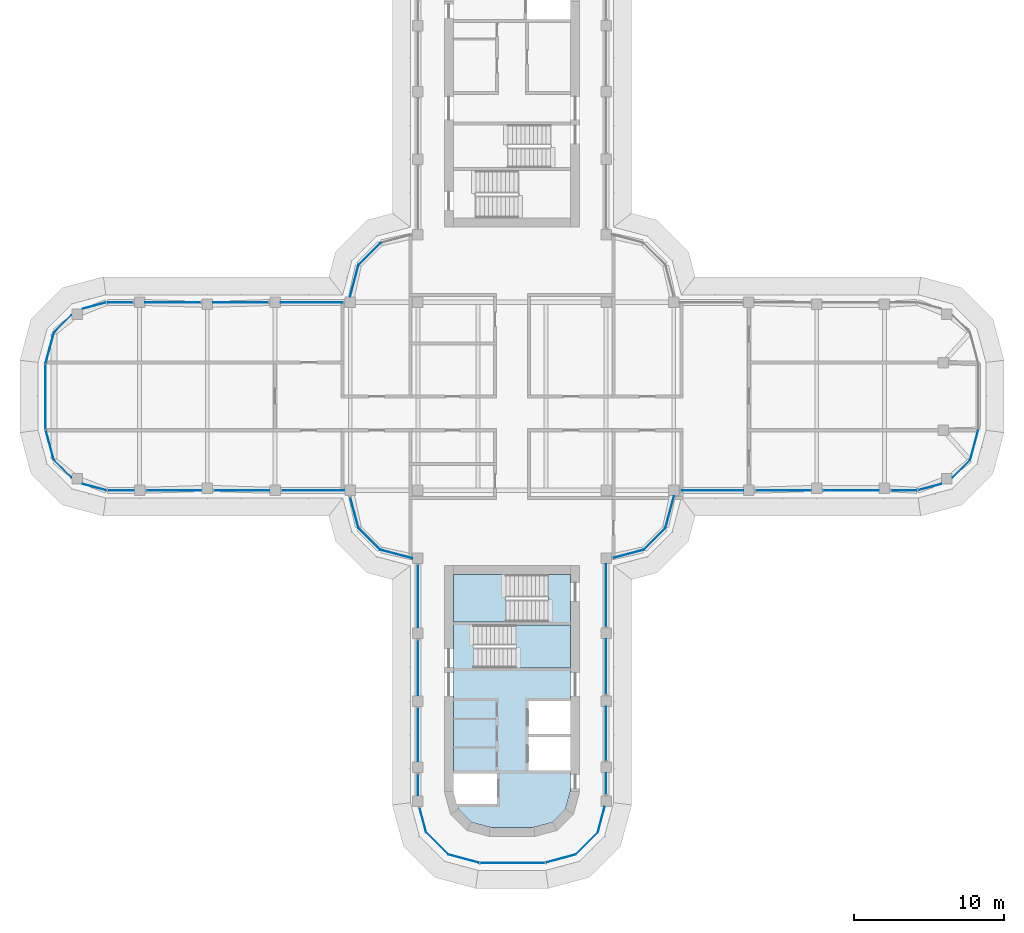
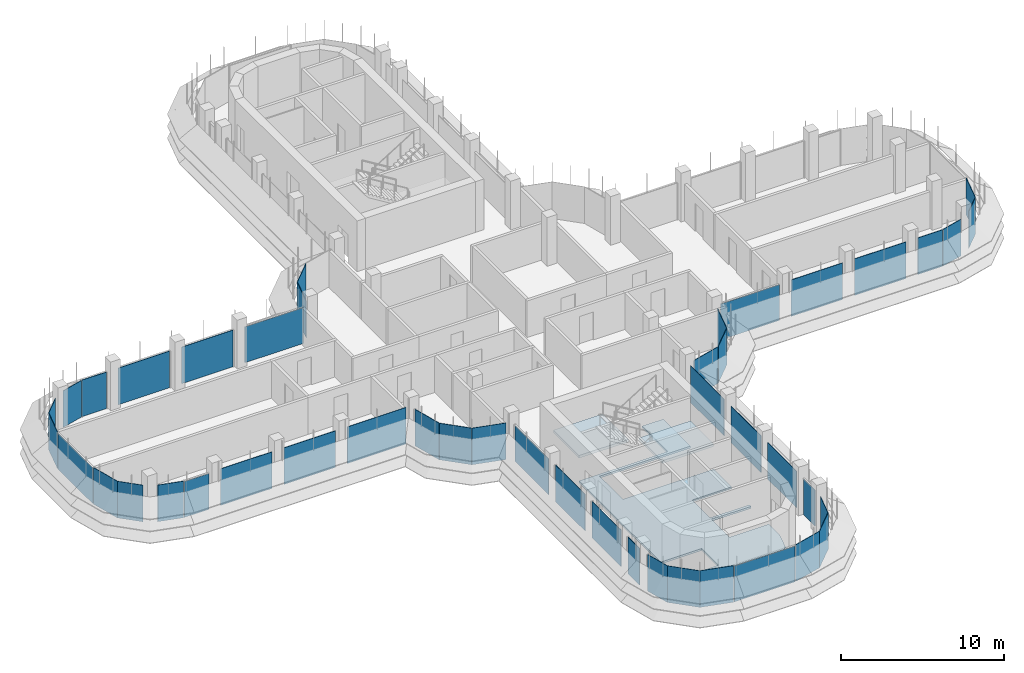
# One storey, part 11 of 19: 45 plates, 3 slabs, 32 elements without a shape of their own.
"""IFC4 building model written with IfcOpenShell, lengths in metres."""

from ifc_helpers import new_model, si_unit, direction, frame, origin, place, context, subcontext, project, spatial, polyline, outline, extrude, source, transform, mapped, material, layer, layer_set, type_object, element, aggregate, save


model = new_model("IFC4")

# Units and contexts
model_context = context("Model", 3, precision=1e-05, world=origin(), true_north=direction((0.0, 1.0)))
body_context = subcontext(model_context, "Body", "Model", "MODEL_VIEW")
ifc_project = project(units=[si_unit("LENGTHUNIT", "METRE"), si_unit("AREAUNIT", "SQUARE_METRE"), si_unit("VOLUMEUNIT", "CUBIC_METRE"), si_unit("PLANEANGLEUNIT", "RADIAN"), si_unit("MASSUNIT", "GRAM", prefix="KILO")], contexts=[model_context])

# Site, building, storey
site_placement = place(None, origin())
site = spatial("IfcSite", under=ifc_project, at=site_placement, CompositionType="ELEMENT")
building_placement = place(site_placement, origin())
building = spatial("IfcBuilding", under=site, at=building_placement, Name="Zarbagh Exchange Tower", CompositionType="ELEMENT")
storey_placement = place(building_placement, frame((0.0, 0.0, 203.0)))
storey = spatial("IfcBuildingStorey", under=building, at=storey_placement, Name="L49", CompositionType="ELEMENT", Elevation=203.0)

# Slab
ifc_material_1 = material(Name="Concrete C40/50", Category="concrete")
ifc_layer_1 = layer(ifc_material_1, 0.14990234375)
ifc_layer_set_1 = layer_set([ifc_layer_1], Name="Core floor slab 150 C40/50")
slab_type_1 = type_object("IfcSlabType", Name="Core floor slab 150 C40/50", PredefinedType="FLOOR", material=ifc_layer_set_1)
slab_1_placement = place(storey_placement, frame((0.0, 0.0, -0.14990234375)))
element("IfcSlab", 1, at=slab_1_placement, inside=storey, type_object=slab_type_1, Name="S17 core S", PredefinedType="FLOOR", context=body_context, shape_type="SweptSolid", body=[
    extrude(outline(polyline([(-2.689453125, -28.31005859375), (-3.56005859375, -27.439453125), (-3.651123046875, -27.10009765625), (-1.0, -27.10009765625), (-1.0, -25.050048828125), (-3.89990234375, -25.050048828125), (-3.89990234375, -15.0), (2.39990234375, -15.0), (2.39990234375, -11.85009765625), (3.89990234375, -11.85009765625), (3.89990234375, -15.199951171875), (-2.550048828125, -15.199951171875), (-2.550048828125, -18.050048828125), (3.89990234375, -18.050048828125), (3.89990234375, -20.25), (1.10009765625, -20.25), (1.10009765625, -22.449951171875), (3.89990234375, -22.449951171875), (3.89990234375, -22.64990234375), (1.10009765625, -22.64990234375), (1.10009765625, -24.85009765625), (3.89990234375, -24.85009765625), (3.89990234375, -26.1708984375), (3.56005859375, -27.439453125), (2.689453125, -28.31005859375), (1.4208984375, -28.64990234375), (-1.4208984375, -28.64990234375), (-2.689453125, -28.31005859375)])), origin(), (0.0, 0.0, 1.0), 0.14990234375),
])

# Stair, slab
stair_type = type_object("IfcStairType", Name="Exit stair two-flight half-turn", PredefinedType="HALF_TURN_STAIR", material=ifc_material_1)
stair_1_placement = place(storey_placement, origin())
stair_1 = element("IfcStair", 2, at=stair_1_placement, inside=storey, type_object=stair_type, Name="exit stair ST3", PredefinedType="HALF_TURN_STAIR")
ifc_layer_2 = layer(ifc_material_1, 0.199951171875)
ifc_layer_set_2 = layer_set([ifc_layer_2], Name="Stair landing 200 mm")
slab_type_2 = type_object("IfcSlabType", Name="Stair landing 200 mm", PredefinedType="LANDING", material=ifc_layer_set_2)
slab_2_placement = place(storey_placement, frame((0.0, 0.0, 1.699951171875)))
slab_2 = element("IfcSlab", 3, at=slab_2_placement, type_object=slab_type_2, Name="ST3 landing 1", PredefinedType="LANDING", context=body_context, shape_type="SweptSolid", body=[
    extrude(outline(polyline([(0.25, -18.050048828125), (3.89990234375, -18.050048828125), (3.89990234375, -15.199951171875), (0.25, -15.199951171875), (0.25, -18.050048828125)])), origin(), (0.0, 0.0, 1.0), 0.199951171875),
])
aggregate(stair_1, [slab_2])

stair_2_placement = place(storey_placement, origin())
stair_2 = element("IfcStair", 4, at=stair_2_placement, inside=storey, type_object=stair_type, Name="exit stair ST4", PredefinedType="HALF_TURN_STAIR")
slab_3_placement = place(storey_placement, frame((0.0, 0.0, 1.699951171875)))
slab_3 = element("IfcSlab", 5, at=slab_3_placement, type_object=slab_type_2, Name="ST4 landing 1", PredefinedType="LANDING", context=body_context, shape_type="SweptSolid", body=[
    extrude(outline(polyline([(-0.39990234375, -11.85009765625), (-3.89990234375, -11.85009765625), (-3.89990234375, -15.0), (-0.39990234375, -15.0), (-0.39990234375, -11.85009765625)])), origin(), (0.0, 0.0, 1.0), 0.199951171875),
])
aggregate(stair_2, [slab_3])

# Curtain wall, plate
ifc_material_2 = material(Name="Anodised aluminium frame and glazing", Category="aluminium")
curtain_wall_type = type_object("IfcCurtainWallType", Name="CWB Ribbon glazing, upper zones", PredefinedType="NOTDEFINED", material=ifc_material_2)
curtain_wall_1_placement = place(storey_placement, origin())
curtain_wall_1 = element("IfcCurtainWall", 6, at=curtain_wall_1_placement, inside=storey, type_object=curtain_wall_type, Name="CWB50 curtain wall", PredefinedType="NOTDEFINED")
ifc_material_3 = material(Name="Low-e double glazed unit, 6+12+6 mm")
ifc_layer_3 = layer(ifc_material_3, 0.031982421875)
ifc_layer_set_3 = layer_set([ifc_layer_3], Name="PAB Glazing panel, Low-e double glazed unit, 6+12+6 mm")
plate_type = type_object("IfcPlateType", Name="PAB Glazing panel, Low-e double glazed unit, 6+12+6 mm", PredefinedType="CURTAIN_PANEL", material=ifc_layer_set_3)
shared_shape_1 = source(origin(), body_context, "Body", "SweptSolid", [
    extrude(outline(polyline([(0.0, -0.01611328125), (2.061279296875, -0.01611328125), (2.061279296875, 0.01611328125), (0.0, 0.01611328125), (0.0, -0.01611328125)])), origin(), (0.0, 0.0, 1.0), 2.75),
])
placement = place(storey_placement, origin())
plate_1 = element("IfcPlate", 7, at=placement, type_object=plate_type, Name="CWB50 glazing panel 1.1", PredefinedType="CURTAIN_PANEL", context=body_context, shape_type="MappedRepresentation", body=[
    mapped(shared_shape_1, transform((4.2412109375, -30.44873046875, 0.0), x_axis=(0.707106781187, 0.707106781187, 0.0), y_axis=(-0.707106781187, 0.707106781187, 0.0), z_axis=(0.0, 0.0, 1.0))),
])
aggregate(curtain_wall_1, [plate_1])

curtain_wall_2_placement = place(storey_placement, origin())
curtain_wall_2 = element("IfcCurtainWall", 8, at=curtain_wall_2_placement, inside=storey, type_object=curtain_wall_type, Name="CWB06 curtain wall", PredefinedType="NOTDEFINED")
plate_2 = element("IfcPlate", 9, at=placement, type_object=plate_type, Name="CWB06 glazing panel 1.1", PredefinedType="CURTAIN_PANEL", context=body_context, shape_type="MappedRepresentation", body=[
    mapped(shared_shape_1, transform((8.7412109375, -10.19873046875, 0.0), x_axis=(0.707106781187, 0.707106781187, 0.0), y_axis=(-0.707106781187, 0.707106781187, 0.0), z_axis=(0.0, 0.0, 1.0))),
])
aggregate(curtain_wall_2, [plate_2])

curtain_wall_3_placement = place(storey_placement, origin())
curtain_wall_3 = element("IfcCurtainWall", 10, at=curtain_wall_3_placement, inside=storey, type_object=curtain_wall_type, Name="CWB30 curtain wall", PredefinedType="NOTDEFINED")
plate_3 = element("IfcPlate", 11, at=placement, type_object=plate_type, Name="CWB30 glazing panel 1.1", PredefinedType="CURTAIN_PANEL", context=body_context, shape_type="MappedRepresentation", body=[
    mapped(shared_shape_1, transform((-8.7412109375, 10.19873046875, 0.0), x_axis=(-0.707106781187, -0.707106781187, 0.0), y_axis=(0.707106781187, -0.707106781187, 0.0), z_axis=(0.0, 0.0, 1.0))),
])
aggregate(curtain_wall_3, [plate_3])

curtain_wall_4_placement = place(storey_placement, origin())
curtain_wall_4 = element("IfcCurtainWall", 12, at=curtain_wall_4_placement, inside=storey, type_object=curtain_wall_type, Name="CWB42 curtain wall", PredefinedType="NOTDEFINED")
plate_4 = element("IfcPlate", 13, at=placement, type_object=plate_type, Name="CWB42 glazing panel 1.1", PredefinedType="CURTAIN_PANEL", context=body_context, shape_type="MappedRepresentation", body=[
    mapped(shared_shape_1, transform((-10.19873046875, -8.7412109375, 0.0), x_axis=(0.707106781187, -0.707106781187, 0.0), y_axis=(0.707106781187, 0.707106781187, 0.0), z_axis=(0.0, 0.0, 1.0))),
])
aggregate(curtain_wall_4, [plate_4])

curtain_wall_5_placement = place(storey_placement, origin())
curtain_wall_5 = element("IfcCurtainWall", 14, at=curtain_wall_5_placement, inside=storey, type_object=curtain_wall_type, Name="CWB55 curtain wall", PredefinedType="NOTDEFINED")
plate_5 = element("IfcPlate", 15, at=placement, type_object=plate_type, Name="CWB55 glazing panel 1.1", PredefinedType="CURTAIN_PANEL", context=body_context, shape_type="MappedRepresentation", body=[
    mapped(shared_shape_1, transform((-5.69873046875, -28.9912109375, 0.0), x_axis=(0.707106781187, -0.707106781187, 0.0), y_axis=(0.707106781187, 0.707106781187, 0.0), z_axis=(0.0, 0.0, 1.0))),
])
aggregate(curtain_wall_5, [plate_5])

curtain_wall_6_placement = place(storey_placement, origin())
curtain_wall_6 = element("IfcCurtainWall", 16, at=curtain_wall_6_placement, inside=storey, type_object=curtain_wall_type, Name="CWB11 curtain wall", PredefinedType="NOTDEFINED")
shared_shape_2 = source(origin(), body_context, "Body", "SweptSolid", [
    extrude(outline(polyline([(0.0, -0.01611328125), (2.129638671875, -0.01611328125), (2.129638671875, 0.01611328125), (0.0, 0.01611328125), (0.0, -0.01611328125)])), origin(), (0.0, 0.0, 1.0), 2.75),
])
plate_6 = element("IfcPlate", 17, at=placement, type_object=plate_type, Name="CWB11 glazing panel 1.1", PredefinedType="CURTAIN_PANEL", context=body_context, shape_type="MappedRepresentation", body=[
    mapped(shared_shape_2, transform((30.44873046875, -4.2412109375, 0.0), x_axis=(0.258824779902, 0.965924289636, 0.0), y_axis=(-0.965924289636, 0.258824779902, 0.0), z_axis=(0.0, 0.0, 1.0))),
])
aggregate(curtain_wall_6, [plate_6])

curtain_wall_7_placement = place(storey_placement, origin())
curtain_wall_7 = element("IfcCurtainWall", 18, at=curtain_wall_7_placement, inside=storey, type_object=curtain_wall_type, Name="CWB61 curtain wall", PredefinedType="NOTDEFINED")
plate_7 = element("IfcPlate", 19, at=placement, type_object=plate_type, Name="CWB61 glazing panel 1.1", PredefinedType="CURTAIN_PANEL", context=body_context, shape_type="MappedRepresentation", body=[
    mapped(shared_shape_2, transform((-30.44873046875, 4.2412109375, 0.0), x_axis=(-0.258824779902, -0.965924289636, 0.0), y_axis=(0.965924289636, -0.258824779902, 0.0), z_axis=(0.0, 0.0, 1.0))),
])
aggregate(curtain_wall_7, [plate_7])

curtain_wall_8_placement = place(storey_placement, origin())
curtain_wall_8 = element("IfcCurtainWall", 20, at=curtain_wall_8_placement, inside=storey, type_object=curtain_wall_type, Name="CWB56 curtain wall", PredefinedType="NOTDEFINED")
plate_8 = element("IfcPlate", 21, at=placement, type_object=plate_type, Name="CWB56 glazing panel 1.1", PredefinedType="CURTAIN_PANEL", context=body_context, shape_type="MappedRepresentation", body=[
    mapped(shared_shape_2, transform((-4.2412109375, -30.44873046875, 0.0), x_axis=(0.965924289636, -0.258824779902, 0.0), y_axis=(0.258824779902, 0.965924289636, 0.0), z_axis=(0.0, 0.0, 1.0))),
])
aggregate(curtain_wall_8, [plate_8])

curtain_wall_9_placement = place(storey_placement, origin())
curtain_wall_9 = element("IfcCurtainWall", 22, at=curtain_wall_9_placement, inside=storey, type_object=curtain_wall_type, Name="CWB52 curtain wall", PredefinedType="NOTDEFINED")
shared_shape_3 = source(origin(), body_context, "Body", "SweptSolid", [
    extrude(outline(polyline([(0.0, -0.01611328125), (3.56005859375, -0.01611328125), (3.56005859375, 0.01611328125), (0.0, 0.01611328125), (0.0, -0.01611328125)])), origin(), (0.0, 0.0, 1.0), 2.75),
])
plate_9 = element("IfcPlate", 23, at=placement, type_object=plate_type, Name="CWB52 glazing panel 2.1", PredefinedType="CURTAIN_PANEL", context=body_context, shape_type="MappedRepresentation", body=[
    mapped(shared_shape_3, transform((6.25, -24.199951171875, 0.0), x_axis=(0.0, 1.0, 0.0), y_axis=(-1.0, 0.0, 0.0), z_axis=(0.0, 0.0, 1.0))),
])

curtain_wall_10_placement = place(storey_placement, origin())
curtain_wall_10 = element("IfcCurtainWall", 24, at=curtain_wall_10_placement, inside=storey, type_object=curtain_wall_type, Name="CWB53 curtain wall", PredefinedType="NOTDEFINED")
plate_10 = element("IfcPlate", 25, at=placement, type_object=plate_type, Name="CWB53 glazing panel 3.1", PredefinedType="CURTAIN_PANEL", context=body_context, shape_type="MappedRepresentation", body=[
    mapped(shared_shape_3, transform((-6.25, -20.699951171875, 0.0), x_axis=(0.0, -1.0, 0.0), y_axis=(1.0, 0.0, 0.0), z_axis=(0.0, 0.0, 1.0))),
])

curtain_wall_11_placement = place(storey_placement, origin())
curtain_wall_11 = element("IfcCurtainWall", 26, at=curtain_wall_11_placement, inside=storey, type_object=curtain_wall_type, Name="CWB66 curtain wall", PredefinedType="NOTDEFINED")
shared_shape_4 = source(origin(), body_context, "Body", "SweptSolid", [
    extrude(outline(polyline([(0.0, -0.01611328125), (4.308349609375, -0.01611328125), (4.308349609375, 0.01611328125), (0.0, 0.01611328125), (0.0, -0.01611328125)])), origin(), (0.0, 0.0, 1.0), 2.68994140625),
])
plate_11 = element("IfcPlate", 27, at=placement, type_object=plate_type, Name="CWB66 glazing panel 1.1", PredefinedType="CURTAIN_PANEL", context=body_context, shape_type="MappedRepresentation", body=[
    mapped(shared_shape_4, transform((-31.0, 2.124267578125, 0.0), x_axis=(0.0, -1.0, 0.0), y_axis=(1.0, 0.0, 0.0), z_axis=(0.0, 0.0, 1.0))),
])
aggregate(curtain_wall_11, [plate_11])

curtain_wall_12_placement = place(storey_placement, origin())
curtain_wall_12 = element("IfcCurtainWall", 28, at=curtain_wall_12_placement, inside=storey, type_object=curtain_wall_type, Name="CWB57 curtain wall", PredefinedType="NOTDEFINED")
plate_12 = element("IfcPlate", 29, at=placement, type_object=plate_type, Name="CWB57 glazing panel 1.1", PredefinedType="CURTAIN_PANEL", context=body_context, shape_type="MappedRepresentation", body=[
    mapped(shared_shape_4, transform((-2.124267578125, -31.0, 0.0), x_axis=(1.0, 0.0, 0.0), y_axis=(0.0, 1.0, 0.0), z_axis=(0.0, 0.0, 1.0))),
])
aggregate(curtain_wall_12, [plate_12])

curtain_wall_13_placement = place(storey_placement, origin())
curtain_wall_13 = element("IfcCurtainWall", 30, at=curtain_wall_13_placement, inside=storey, type_object=curtain_wall_type, Name="CWB49 curtain wall", PredefinedType="NOTDEFINED")
shared_shape_5 = source(origin(), body_context, "Body", "SweptSolid", [
    extrude(outline(polyline([(0.0, -0.01611328125), (2.069580078125, -0.01611328125), (2.069580078125, 0.01611328125), (0.0, 0.01611328125), (0.0, -0.01611328125)])), origin(), (0.0, 0.0, 1.0), 2.75),
])
plate_13 = element("IfcPlate", 31, at=placement, type_object=plate_type, Name="CWB49 glazing panel 1.1", PredefinedType="CURTAIN_PANEL", context=body_context, shape_type="MappedRepresentation", body=[
    mapped(shared_shape_5, transform((2.2421875, -30.984375, 0.0), x_axis=(0.965924289636, 0.258824779902, 0.0), y_axis=(-0.258824779902, 0.965924289636, 0.0), z_axis=(0.0, 0.0, 1.0))),
])
aggregate(curtain_wall_13, [plate_13])

curtain_wall_14_placement = place(storey_placement, origin())
curtain_wall_14 = element("IfcCurtainWall", 32, at=curtain_wall_14_placement, inside=storey, type_object=curtain_wall_type, Name="CWB62 curtain wall", PredefinedType="NOTDEFINED")
plate_14 = element("IfcPlate", 33, at=placement, type_object=plate_type, Name="CWB62 glazing panel 1.1", PredefinedType="CURTAIN_PANEL", context=body_context, shape_type="MappedRepresentation", body=[
    mapped(shared_shape_5, transform((-30.984375, -2.2421875, 0.0), x_axis=(0.258824779902, -0.965924289636, 0.0), y_axis=(0.965924289636, 0.258824779902, 0.0), z_axis=(0.0, 0.0, 1.0))),
])
aggregate(curtain_wall_14, [plate_14])

curtain_wall_15_placement = place(storey_placement, origin())
curtain_wall_15 = element("IfcCurtainWall", 34, at=curtain_wall_15_placement, inside=storey, type_object=curtain_wall_type, Name="CWB51 curtain wall", PredefinedType="NOTDEFINED")
shared_shape_6 = source(origin(), body_context, "Body", "SweptSolid", [
    extrude(outline(polyline([(0.0, -0.01611328125), (1.76123046875, -0.01611328125), (1.76123046875, 0.01611328125), (0.0, 0.01611328125), (0.0, -0.01611328125)])), origin(), (0.0, 0.0, 1.0), 2.75),
])
plate_15 = element("IfcPlate", 35, at=placement, type_object=plate_type, Name="CWB51 glazing panel 1.1", PredefinedType="CURTAIN_PANEL", context=body_context, shape_type="MappedRepresentation", body=[
    mapped(shared_shape_6, transform((5.69873046875, -28.9912109375, 0.0), x_axis=(0.258824779902, 0.965924289636, 0.0), y_axis=(-0.965924289636, 0.258824779902, 0.0), z_axis=(0.0, 0.0, 1.0))),
])
aggregate(curtain_wall_15, [plate_15])

# Plate
shared_shape_7 = source(origin(), body_context, "Body", "SweptSolid", [
    extrude(outline(polyline([(0.0, -0.01611328125), (1.409912109375, -0.01611328125), (1.409912109375, 0.01611328125), (0.0, 0.01611328125), (0.0, -0.01611328125)])), origin(), (0.0, 0.0, 1.0), 2.68994140625),
])
plate_16 = element("IfcPlate", 36, at=placement, type_object=plate_type, Name="CWB52 glazing panel 1.1", PredefinedType="CURTAIN_PANEL", context=body_context, shape_type="MappedRepresentation", body=[
    mapped(shared_shape_7, transform((6.25, -26.449951171875, 0.0), x_axis=(0.0, 1.0, 0.0), y_axis=(-1.0, 0.0, 0.0), z_axis=(0.0, 0.0, 1.0))),
])

shared_shape_8 = source(origin(), body_context, "Body", "SweptSolid", [
    extrude(outline(polyline([(0.0, -0.01611328125), (3.659912109375, -0.01611328125), (3.659912109375, 0.01611328125), (0.0, 0.01611328125), (0.0, -0.01611328125)])), origin(), (0.0, 0.0, 1.0), 2.75),
])
plate_17 = element("IfcPlate", 37, at=placement, type_object=plate_type, Name="CWB52 glazing panel 3.1", PredefinedType="CURTAIN_PANEL", context=body_context, shape_type="MappedRepresentation", body=[
    mapped(shared_shape_8, transform((6.25, -19.800048828125, 0.0), x_axis=(0.0, 1.0, 0.0), y_axis=(-1.0, 0.0, 0.0), z_axis=(0.0, 0.0, 1.0))),
])

# Curtain wall, plates
curtain_wall_16_placement = place(storey_placement, origin())
curtain_wall_16 = element("IfcCurtainWall", 38, at=curtain_wall_16_placement, inside=storey, type_object=curtain_wall_type, Name="CWB08 curtain wall", PredefinedType="NOTDEFINED")
plate_18 = element("IfcPlate", 39, at=placement, type_object=plate_type, Name="CWB08 glazing panel 2.1", PredefinedType="CURTAIN_PANEL", context=body_context, shape_type="MappedRepresentation", body=[
    mapped(shared_shape_8, transform((16.199951171875, -6.25, 0.0), x_axis=(1.0, 0.0, 0.0), y_axis=(0.0, 1.0, 0.0), z_axis=(0.0, 0.0, 1.0))),
])
plate_19 = element("IfcPlate", 40, at=placement, type_object=plate_type, Name="CWB08 glazing panel 3.1", PredefinedType="CURTAIN_PANEL", context=body_context, shape_type="MappedRepresentation", body=[
    mapped(shared_shape_8, transform((20.699951171875, -6.25, 0.0), x_axis=(1.0, 0.0, 0.0), y_axis=(0.0, 1.0, 0.0), z_axis=(0.0, 0.0, 1.0))),
])

curtain_wall_17_placement = place(storey_placement, origin())
curtain_wall_17 = element("IfcCurtainWall", 41, at=curtain_wall_17_placement, inside=storey, type_object=curtain_wall_type, Name="CWB58 curtain wall", PredefinedType="NOTDEFINED")
plate_20 = element("IfcPlate", 42, at=placement, type_object=plate_type, Name="CWB58 glazing panel 2.1", PredefinedType="CURTAIN_PANEL", context=body_context, shape_type="MappedRepresentation", body=[
    mapped(shared_shape_8, transform((-16.199951171875, 6.25, 0.0), x_axis=(-1.0, 0.0, 0.0), y_axis=(0.0, -1.0, 0.0), z_axis=(0.0, 0.0, 1.0))),
])
plate_21 = element("IfcPlate", 43, at=placement, type_object=plate_type, Name="CWB58 glazing panel 3.1", PredefinedType="CURTAIN_PANEL", context=body_context, shape_type="MappedRepresentation", body=[
    mapped(shared_shape_8, transform((-20.699951171875, 6.25, 0.0), x_axis=(-1.0, 0.0, 0.0), y_axis=(0.0, -1.0, 0.0), z_axis=(0.0, 0.0, 1.0))),
])

curtain_wall_18_placement = place(storey_placement, origin())
curtain_wall_18 = element("IfcCurtainWall", 44, at=curtain_wall_18_placement, inside=storey, type_object=curtain_wall_type, Name="CWB65 curtain wall", PredefinedType="NOTDEFINED")
plate_22 = element("IfcPlate", 45, at=placement, type_object=plate_type, Name="CWB65 glazing panel 2.1", PredefinedType="CURTAIN_PANEL", context=body_context, shape_type="MappedRepresentation", body=[
    mapped(shared_shape_8, transform((-24.300048828125, -6.25, 0.0), x_axis=(1.0, 0.0, 0.0), y_axis=(0.0, 1.0, 0.0), z_axis=(0.0, 0.0, 1.0))),
])
plate_23 = element("IfcPlate", 46, at=placement, type_object=plate_type, Name="CWB65 glazing panel 3.1", PredefinedType="CURTAIN_PANEL", context=body_context, shape_type="MappedRepresentation", body=[
    mapped(shared_shape_8, transform((-19.800048828125, -6.25, 0.0), x_axis=(1.0, 0.0, 0.0), y_axis=(0.0, 1.0, 0.0), z_axis=(0.0, 0.0, 1.0))),
])

# Plate
plate_24 = element("IfcPlate", 47, at=placement, type_object=plate_type, Name="CWB53 glazing panel 2.1", PredefinedType="CURTAIN_PANEL", context=body_context, shape_type="MappedRepresentation", body=[
    mapped(shared_shape_8, transform((-6.25, -16.199951171875, 0.0), x_axis=(0.0, -1.0, 0.0), y_axis=(1.0, 0.0, 0.0), z_axis=(0.0, 0.0, 1.0))),
])

shared_shape_9 = source(origin(), body_context, "Body", "SweptSolid", [
    extrude(outline(polyline([(0.0, -0.01611328125), (4.159912109375, -0.01611328125), (4.159912109375, 0.01611328125), (0.0, 0.01611328125), (0.0, -0.01611328125)])), origin(), (0.0, 0.0, 1.0), 2.75),
])
plate_25 = element("IfcPlate", 48, at=placement, type_object=plate_type, Name="CWB52 glazing panel 4.1", PredefinedType="CURTAIN_PANEL", context=body_context, shape_type="MappedRepresentation", body=[
    mapped(shared_shape_9, transform((6.25, -15.300048828125, 0.0), x_axis=(0.0, 1.0, 0.0), y_axis=(-1.0, 0.0, 0.0), z_axis=(0.0, 0.0, 1.0))),
])

aggregate(curtain_wall_9, [plate_16, plate_9, plate_17, plate_25])

plate_26 = element("IfcPlate", 49, at=placement, type_object=plate_type, Name="CWB65 glazing panel 4.1", PredefinedType="CURTAIN_PANEL", context=body_context, shape_type="MappedRepresentation", body=[
    mapped(shared_shape_9, transform((-15.300048828125, -6.25, 0.0), x_axis=(1.0, 0.0, 0.0), y_axis=(0.0, 1.0, 0.0), z_axis=(0.0, 0.0, 1.0))),
])

# Curtain wall, plate
curtain_wall_19_placement = place(storey_placement, origin())
curtain_wall_19 = element("IfcCurtainWall", 50, at=curtain_wall_19_placement, inside=storey, type_object=curtain_wall_type, Name="CWB05 curtain wall", PredefinedType="NOTDEFINED")
shared_shape_10 = source(origin(), body_context, "Body", "SweptSolid", [
    extrude(outline(polyline([(0.0, -0.01611328125), (2.115234375, -0.01611328125), (2.115234375, 0.01611328125), (0.0, 0.01611328125), (0.0, -0.01611328125)])), origin(), (0.0, 0.0, 1.0), 2.75),
])
plate_27 = element("IfcPlate", 51, at=placement, type_object=plate_type, Name="CWB05 glazing panel 1.1", PredefinedType="CURTAIN_PANEL", context=body_context, shape_type="MappedRepresentation", body=[
    mapped(shared_shape_10, transform((6.697998046875, -10.746337890625, 0.0), x_axis=(0.965924289636, 0.258824779902, 0.0), y_axis=(-0.258824779902, 0.965924289636, 0.0), z_axis=(0.0, 0.0, 1.0))),
])
aggregate(curtain_wall_19, [plate_27])

curtain_wall_20_placement = place(storey_placement, origin())
curtain_wall_20 = element("IfcCurtainWall", 52, at=curtain_wall_20_placement, inside=storey, type_object=curtain_wall_type, Name="CWB41 curtain wall", PredefinedType="NOTDEFINED")
plate_28 = element("IfcPlate", 53, at=placement, type_object=plate_type, Name="CWB41 glazing panel 1.1", PredefinedType="CURTAIN_PANEL", context=body_context, shape_type="MappedRepresentation", body=[
    mapped(shared_shape_10, transform((-10.746337890625, -6.697998046875, 0.0), x_axis=(0.258824779902, -0.965924289636, 0.0), y_axis=(0.965924289636, 0.258824779902, 0.0), z_axis=(0.0, 0.0, 1.0))),
])
aggregate(curtain_wall_20, [plate_28])

curtain_wall_21_placement = place(storey_placement, origin())
curtain_wall_21 = element("IfcCurtainWall", 54, at=curtain_wall_21_placement, inside=storey, type_object=curtain_wall_type, Name="CWB07 curtain wall", PredefinedType="NOTDEFINED")
shared_shape_11 = source(origin(), body_context, "Body", "SweptSolid", [
    extrude(outline(polyline([(0.0, -0.01611328125), (2.17529296875, -0.01611328125), (2.17529296875, 0.01611328125), (0.0, 0.01611328125), (0.0, -0.01611328125)])), origin(), (0.0, 0.0, 1.0), 2.75),
])
plate_29 = element("IfcPlate", 55, at=placement, type_object=plate_type, Name="CWB07 glazing panel 1.1", PredefinedType="CURTAIN_PANEL", context=body_context, shape_type="MappedRepresentation", body=[
    mapped(shared_shape_11, transform((10.19873046875, -8.7412109375, 0.0), x_axis=(0.258824779902, 0.965924289636, 0.0), y_axis=(-0.965924289636, 0.258824779902, 0.0), z_axis=(0.0, 0.0, 1.0))),
])
aggregate(curtain_wall_21, [plate_29])

curtain_wall_22_placement = place(storey_placement, origin())
curtain_wall_22 = element("IfcCurtainWall", 56, at=curtain_wall_22_placement, inside=storey, type_object=curtain_wall_type, Name="CWB31 curtain wall", PredefinedType="NOTDEFINED")
plate_30 = element("IfcPlate", 57, at=placement, type_object=plate_type, Name="CWB31 glazing panel 1.1", PredefinedType="CURTAIN_PANEL", context=body_context, shape_type="MappedRepresentation", body=[
    mapped(shared_shape_11, transform((-10.19873046875, 8.7412109375, 0.0), x_axis=(-0.258824779902, -0.965924289636, 0.0), y_axis=(0.965924289636, -0.258824779902, 0.0), z_axis=(0.0, 0.0, 1.0))),
])
aggregate(curtain_wall_22, [plate_30])

curtain_wall_23_placement = place(storey_placement, origin())
curtain_wall_23 = element("IfcCurtainWall", 58, at=curtain_wall_23_placement, inside=storey, type_object=curtain_wall_type, Name="CWB43 curtain wall", PredefinedType="NOTDEFINED")
plate_31 = element("IfcPlate", 59, at=placement, type_object=plate_type, Name="CWB43 glazing panel 1.1", PredefinedType="CURTAIN_PANEL", context=body_context, shape_type="MappedRepresentation", body=[
    mapped(shared_shape_11, transform((-8.7412109375, -10.19873046875, 0.0), x_axis=(0.965924289636, -0.258824779902, 0.0), y_axis=(0.258824779902, 0.965924289636, 0.0), z_axis=(0.0, 0.0, 1.0))),
])
aggregate(curtain_wall_23, [plate_31])

# Plate
shared_shape_12 = source(origin(), body_context, "Body", "SweptSolid", [
    extrude(outline(polyline([(0.0, -0.01611328125), (4.159912109375, -0.01611328125), (4.159912109375, 0.01611328125), (0.0, 0.01611328125), (0.0, -0.01611328125)])), origin(), (0.0, 0.0, 1.0), 2.68994140625),
])
plate_32 = element("IfcPlate", 60, at=placement, type_object=plate_type, Name="CWB08 glazing panel 1.1", PredefinedType="CURTAIN_PANEL", context=body_context, shape_type="MappedRepresentation", body=[
    mapped(shared_shape_12, transform((11.199951171875, -6.25, 0.0), x_axis=(1.0, 0.0, 0.0), y_axis=(0.0, 1.0, 0.0), z_axis=(0.0, 0.0, 1.0))),
])

plate_33 = element("IfcPlate", 61, at=placement, type_object=plate_type, Name="CWB58 glazing panel 1.1", PredefinedType="CURTAIN_PANEL", context=body_context, shape_type="MappedRepresentation", body=[
    mapped(shared_shape_12, transform((-11.199951171875, 6.25, 0.0), x_axis=(-1.0, 0.0, 0.0), y_axis=(0.0, -1.0, 0.0), z_axis=(0.0, 0.0, 1.0))),
])

plate_34 = element("IfcPlate", 62, at=placement, type_object=plate_type, Name="CWB53 glazing panel 1.1", PredefinedType="CURTAIN_PANEL", context=body_context, shape_type="MappedRepresentation", body=[
    mapped(shared_shape_12, transform((-6.25, -11.199951171875, 0.0), x_axis=(0.0, -1.0, 0.0), y_axis=(1.0, 0.0, 0.0), z_axis=(0.0, 0.0, 1.0))),
])

shared_shape_13 = source(origin(), body_context, "Body", "SweptSolid", [
    extrude(outline(polyline([(0.0, -0.01611328125), (1.734130859375, -0.01611328125), (1.734130859375, 0.01611328125), (0.0, 0.01611328125), (0.0, -0.01611328125)])), origin(), (0.0, 0.0, 1.0), 2.75),
])
plate_35 = element("IfcPlate", 63, at=placement, type_object=plate_type, Name="CWB08 glazing panel 4.1", PredefinedType="CURTAIN_PANEL", context=body_context, shape_type="MappedRepresentation", body=[
    mapped(shared_shape_13, transform((25.199951171875, -6.25, 0.0), x_axis=(1.0, 0.0, 0.0), y_axis=(0.0, 1.0, 0.0), z_axis=(0.0, 0.0, 1.0))),
])

aggregate(curtain_wall_16, [plate_32, plate_18, plate_19, plate_35])

plate_36 = element("IfcPlate", 64, at=placement, type_object=plate_type, Name="CWB58 glazing panel 4.1", PredefinedType="CURTAIN_PANEL", context=body_context, shape_type="MappedRepresentation", body=[
    mapped(shared_shape_13, transform((-25.199951171875, 6.25, 0.0), x_axis=(-1.0, 0.0, 0.0), y_axis=(0.0, -1.0, 0.0), z_axis=(0.0, 0.0, 1.0))),
])

aggregate(curtain_wall_17, [plate_33, plate_20, plate_21, plate_36])

# Curtain wall, plate
curtain_wall_24_placement = place(storey_placement, origin())
curtain_wall_24 = element("IfcCurtainWall", 65, at=curtain_wall_24_placement, inside=storey, type_object=curtain_wall_type, Name="CWB09 curtain wall", PredefinedType="NOTDEFINED")
shared_shape_14 = source(origin(), body_context, "Body", "SweptSolid", [
    extrude(outline(polyline([(0.0, -0.01611328125), (1.57958984375, -0.01611328125), (1.57958984375, 0.01611328125), (0.0, 0.01611328125), (0.0, -0.01611328125)])), origin(), (0.0, 0.0, 1.0), 2.75),
])
plate_37 = element("IfcPlate", 66, at=placement, type_object=plate_type, Name="CWB09 glazing panel 1.1", PredefinedType="CURTAIN_PANEL", context=body_context, shape_type="MappedRepresentation", body=[
    mapped(shared_shape_14, transform((26.9921875, -6.234375, 0.0), x_axis=(0.965924289636, 0.258824779902, 0.0), y_axis=(-0.258824779902, 0.965924289636, 0.0), z_axis=(0.0, 0.0, 1.0))),
])
aggregate(curtain_wall_24, [plate_37])

curtain_wall_25_placement = place(storey_placement, origin())
curtain_wall_25 = element("IfcCurtainWall", 67, at=curtain_wall_25_placement, inside=storey, type_object=curtain_wall_type, Name="CWB59 curtain wall", PredefinedType="NOTDEFINED")
plate_38 = element("IfcPlate", 68, at=placement, type_object=plate_type, Name="CWB59 glazing panel 1.1", PredefinedType="CURTAIN_PANEL", context=body_context, shape_type="MappedRepresentation", body=[
    mapped(shared_shape_14, transform((-26.9921875, 6.234375, 0.0), x_axis=(-0.965924289636, -0.258824779902, 0.0), y_axis=(0.258824779902, -0.965924289636, 0.0), z_axis=(0.0, 0.0, 1.0))),
])
aggregate(curtain_wall_25, [plate_38])

curtain_wall_26_placement = place(storey_placement, origin())
curtain_wall_26 = element("IfcCurtainWall", 69, at=curtain_wall_26_placement, inside=storey, type_object=curtain_wall_type, Name="CWB10 curtain wall", PredefinedType="NOTDEFINED")
shared_shape_15 = source(origin(), body_context, "Body", "SweptSolid", [
    extrude(outline(polyline([(0.0, -0.01611328125), (1.62744140625, -0.01611328125), (1.62744140625, 0.01611328125), (0.0, 0.01611328125), (0.0, -0.01611328125)])), origin(), (0.0, 0.0, 1.0), 2.75),
])
plate_39 = element("IfcPlate", 70, at=placement, type_object=plate_type, Name="CWB10 glazing panel 1.1", PredefinedType="CURTAIN_PANEL", context=body_context, shape_type="MappedRepresentation", body=[
    mapped(shared_shape_15, transform((29.298095703125, -5.39208984375, 0.0), x_axis=(0.707106781187, 0.707106781187, 0.0), y_axis=(-0.707106781187, 0.707106781187, 0.0), z_axis=(0.0, 0.0, 1.0))),
])
aggregate(curtain_wall_26, [plate_39])

curtain_wall_27_placement = place(storey_placement, origin())
curtain_wall_27 = element("IfcCurtainWall", 71, at=curtain_wall_27_placement, inside=storey, type_object=curtain_wall_type, Name="CWB60 curtain wall", PredefinedType="NOTDEFINED")
plate_40 = element("IfcPlate", 72, at=placement, type_object=plate_type, Name="CWB60 glazing panel 1.1", PredefinedType="CURTAIN_PANEL", context=body_context, shape_type="MappedRepresentation", body=[
    mapped(shared_shape_15, transform((-29.298095703125, 5.39208984375, 0.0), x_axis=(-0.707106781187, -0.707106781187, 0.0), y_axis=(0.707106781187, -0.707106781187, 0.0), z_axis=(0.0, 0.0, 1.0))),
])
aggregate(curtain_wall_27, [plate_40])

curtain_wall_28_placement = place(storey_placement, origin())
curtain_wall_28 = element("IfcCurtainWall", 73, at=curtain_wall_28_placement, inside=storey, type_object=curtain_wall_type, Name="CWB63 curtain wall", PredefinedType="NOTDEFINED")
plate_41 = element("IfcPlate", 74, at=placement, type_object=plate_type, Name="CWB63 glazing panel 1.1", PredefinedType="CURTAIN_PANEL", context=body_context, shape_type="MappedRepresentation", body=[
    mapped(shared_shape_15, transform((-30.44873046875, -4.2412109375, 0.0), x_axis=(0.707106781187, -0.707106781187, 0.0), y_axis=(0.707106781187, 0.707106781187, 0.0), z_axis=(0.0, 0.0, 1.0))),
])
aggregate(curtain_wall_28, [plate_41])

curtain_wall_29_placement = place(storey_placement, origin())
curtain_wall_29 = element("IfcCurtainWall", 75, at=curtain_wall_29_placement, inside=storey, type_object=curtain_wall_type, Name="CWB64 curtain wall", PredefinedType="NOTDEFINED")
shared_shape_16 = source(origin(), body_context, "Body", "SweptSolid", [
    extrude(outline(polyline([(0.0, -0.01611328125), (1.6396484375, -0.01611328125), (1.6396484375, 0.01611328125), (0.0, 0.01611328125), (0.0, -0.01611328125)])), origin(), (0.0, 0.0, 1.0), 2.75),
])
plate_42 = element("IfcPlate", 76, at=placement, type_object=plate_type, Name="CWB64 glazing panel 1.1", PredefinedType="CURTAIN_PANEL", context=body_context, shape_type="MappedRepresentation", body=[
    mapped(shared_shape_16, transform((-28.51806640625, -5.82568359375, 0.0), x_axis=(0.965924289636, -0.258824779902, 0.0), y_axis=(0.258824779902, 0.965924289636, 0.0), z_axis=(0.0, 0.0, 1.0))),
])
aggregate(curtain_wall_29, [plate_42])

# Plate
shared_shape_17 = source(origin(), body_context, "Body", "SweptSolid", [
    extrude(outline(polyline([(0.0, -0.01611328125), (1.734130859375, -0.01611328125), (1.734130859375, 0.01611328125), (0.0, 0.01611328125), (0.0, -0.01611328125)])), origin(), (0.0, 0.0, 1.0), 2.68994140625),
])
plate_43 = element("IfcPlate", 77, at=placement, type_object=plate_type, Name="CWB65 glazing panel 1.1", PredefinedType="CURTAIN_PANEL", context=body_context, shape_type="MappedRepresentation", body=[
    mapped(shared_shape_17, transform((-26.874267578125, -6.25, 0.0), x_axis=(1.0, 0.0, 0.0), y_axis=(0.0, 1.0, 0.0), z_axis=(0.0, 0.0, 1.0))),
])

aggregate(curtain_wall_18, [plate_43, plate_22, plate_23, plate_26])

shared_shape_18 = source(origin(), body_context, "Body", "SweptSolid", [
    extrude(outline(polyline([(0.0, -0.01611328125), (1.409912109375, -0.01611328125), (1.409912109375, 0.01611328125), (0.0, 0.01611328125), (0.0, -0.01611328125)])), origin(), (0.0, 0.0, 1.0), 2.75),
])
plate_44 = element("IfcPlate", 78, at=placement, type_object=plate_type, Name="CWB53 glazing panel 4.1", PredefinedType="CURTAIN_PANEL", context=body_context, shape_type="MappedRepresentation", body=[
    mapped(shared_shape_18, transform((-6.25, -25.10009765625, 0.0), x_axis=(0.0, -1.0, 0.0), y_axis=(1.0, 0.0, 0.0), z_axis=(0.0, 0.0, 1.0))),
])

aggregate(curtain_wall_10, [plate_34, plate_24, plate_10, plate_44])

# Curtain wall, plate
curtain_wall_30_placement = place(storey_placement, origin())
curtain_wall_30 = element("IfcCurtainWall", 79, at=curtain_wall_30_placement, inside=storey, type_object=curtain_wall_type, Name="CWB54 curtain wall", PredefinedType="NOTDEFINED")
shared_shape_19 = source(origin(), body_context, "Body", "SweptSolid", [
    extrude(outline(polyline([(0.0, -0.01611328125), (1.701171875, -0.01611328125), (1.701171875, 0.01611328125), (0.0, 0.01611328125), (0.0, -0.01611328125)])), origin(), (0.0, 0.0, 1.0), 2.75),
])
plate_45 = element("IfcPlate", 80, at=placement, type_object=plate_type, Name="CWB54 glazing panel 1.1", PredefinedType="CURTAIN_PANEL", context=body_context, shape_type="MappedRepresentation", body=[
    mapped(shared_shape_19, transform((-6.13916015625, -27.347900390625, 0.0), x_axis=(0.258824779902, -0.965924289636, 0.0), y_axis=(0.965924289636, 0.258824779902, 0.0), z_axis=(0.0, 0.0, 1.0))),
])
aggregate(curtain_wall_30, [plate_45])

save(model, "model.ifc")
